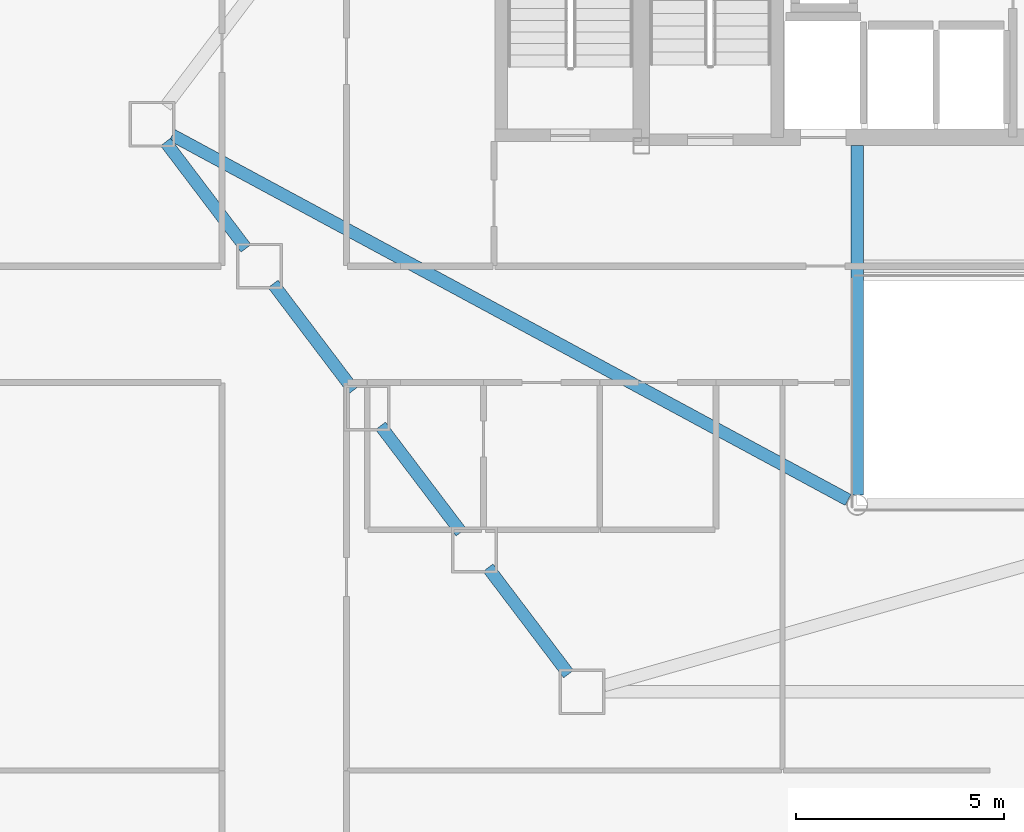
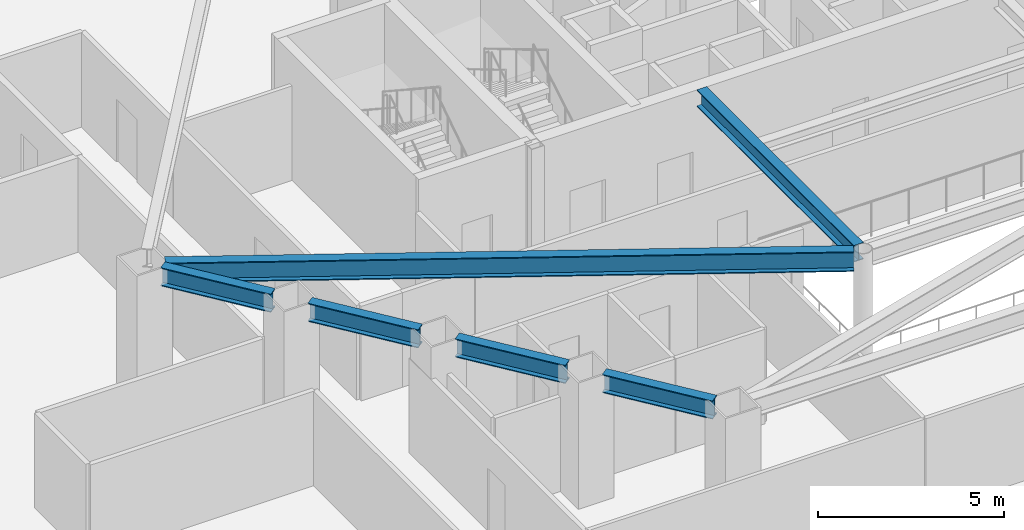
# One storey, part 10 of 37: 6 beams.
"""IFC4 building model written with IfcOpenShell, lengths in metres."""

import ifcopenshell
import ifcopenshell.guid

model = None  # the IFC model being written
_history = None  # IfcOwnerHistory: only IFC2X3 demands one
_inside = {}  # id of a spatial element -> (the spatial element, [elements in it])
_under = {}  # id of a project, library or spatial element -> (it, [spatial elements below it])
_declared = {}  # id of a project -> (the project, [libraries it declares])
_typed = {}  # id of a type object -> (the type object, [elements of that type])
_made_of = {}  # id of a material, layer set ... -> (it, [elements and type objects made of it])


def new_model(schema):
    """Start an empty IFC model of exactly this schema.

    Asked for "IFC4X3", IfcOpenShell would pick the latest addendum, in which some entities
    have other attributes; the version numbers below select the first issue.
    IFC2X3 requires an IfcOwnerHistory on every rooted entity: one is made here for all.
    """
    global model, _history
    if schema == "IFC4X3":
        model = ifcopenshell.file(schema_version=(4, 3, 0, 0))
    else:
        model = ifcopenshell.file(schema=schema)
    _inside.clear()
    _under.clear()
    _declared.clear()
    _typed.clear()
    _made_of.clear()
    _history = None
    if model.schema == "IFC2X3":
        org = make("IfcOrganization", Name="unknown")
        user = make(
            "IfcPersonAndOrganization",
            ThePerson=make("IfcPerson", FamilyName="unknown"),
            TheOrganization=org,
        )
        app = make(
            "IfcApplication",
            ApplicationDeveloper=org,
            Version="unknown",
            ApplicationFullName="unknown",
            ApplicationIdentifier="unknown",
        )
        _history = make(
            "IfcOwnerHistory",
            OwningUser=user,
            OwningApplication=app,
            ChangeAction="ADDED",
            CreationDate=0,
        )
    return model


def make(cls, **values):
    """One entity of the class cls with the attributes given. An attribute that is None is left unset."""
    return model.create_entity(
        cls, **{name: value for name, value in values.items() if value is not None}
    )


def rooted(cls, **values):
    """An entity with a GlobalId (a new one), such as an element, a storey or a relation."""
    return make(cls, GlobalId=ifcopenshell.guid.new(), OwnerHistory=_history, **values)


def si_unit(unit_type, name, prefix=None):
    """IfcSIUnit, for example si_unit("LENGTHUNIT", "METRE", prefix="MILLI")."""
    return make("IfcSIUnit", UnitType=unit_type, Prefix=prefix, Name=name)


def assignment(units):
    """IfcUnitAssignment: the units of a project."""
    return None if units is None else make("IfcUnitAssignment", Units=units)


def point(xyz):
    """IfcCartesianPoint."""
    return None if xyz is None else make("IfcCartesianPoint", Coordinates=xyz)


def direction(xyz):
    """IfcDirection."""
    return None if xyz is None else make("IfcDirection", DirectionRatios=xyz)


def frame(location, z_axis=None, x_axis=None):
    """IfcAxis2Placement3D, a coordinate frame: its origin and axes. An axis left out is left unset."""
    return make(
        "IfcAxis2Placement3D",
        Location=point(location),
        Axis=direction(z_axis),
        RefDirection=direction(x_axis),
    )


def frame_2d(location, x_axis=None):
    """IfcAxis2Placement2D, a coordinate frame in the plane: its origin and x axis."""
    return make(
        "IfcAxis2Placement2D", Location=point(location), RefDirection=direction(x_axis)
    )


def origin():
    """The frame at (0, 0, 0) with its axes left unset."""
    return frame((0.0, 0.0, 0.0))


def origin_2d():
    """The frame at (0, 0) in the plane with its x axis left unset."""
    return frame_2d((0.0, 0.0))


def place(relative_to, where):
    """IfcLocalPlacement: puts the frame where relative to a parent placement (None: the world)."""
    return make(
        "IfcLocalPlacement", PlacementRelTo=relative_to, RelativePlacement=where
    )


def context(
    kind, dimensions, precision=None, world=None, true_north=None, identifier=None
):
    """IfcGeometricRepresentationContext, for example the 3D "Model" context."""
    return make(
        "IfcGeometricRepresentationContext",
        ContextIdentifier=identifier,
        ContextType=kind,
        CoordinateSpaceDimension=dimensions,
        Precision=precision,
        WorldCoordinateSystem=world,
        TrueNorth=true_north,
    )


def subcontext(parent, identifier, kind, view, scale=None):
    """IfcGeometricRepresentationSubContext, for example "Body" below "Model"."""
    return make(
        "IfcGeometricRepresentationSubContext",
        ContextIdentifier=identifier,
        ContextType=kind,
        ParentContext=parent,
        TargetScale=scale,
        TargetView=view,
    )


def project(units=None, contexts=None):
    """IfcProject with its units and contexts."""
    return rooted(
        "IfcProject",
        Name="project",
        RepresentationContexts=contexts,
        UnitsInContext=assignment(units),
    )


def spatial(cls, under=None, at=None, **own):
    """A site, building, storey or space (cls), placed at a placement, below another one or the project."""
    s = rooted(cls, ObjectPlacement=at, **own)
    if under is not None:
        _under.setdefault(under.id(), (under, []))[1].append(s)
    return s


def profile(cls, at=None, kind="AREA", **sizes):
    """A parametric profile (cls). Its sizes go by their IFC names, for example OverallWidth=200.0."""
    return make(cls, ProfileType=kind, Position=at, **sizes)


def i_section(**sizes):
    """IfcIShapeProfileDef."""
    return profile("IfcIShapeProfileDef", **sizes)


def extrude(swept, where, along, depth):
    """IfcExtrudedAreaSolid: the profile swept, set in the frame where, extruded along a direction by depth."""
    return make(
        "IfcExtrudedAreaSolid",
        SweptArea=swept,
        Position=where,
        ExtrudedDirection=direction(along),
        Depth=depth,
    )


def shape(context_of_items, identifier, shape_type, items):
    """IfcShapeRepresentation: the items that make up one representation, for example the "Body"."""
    return make(
        "IfcShapeRepresentation",
        ContextOfItems=context_of_items,
        RepresentationIdentifier=identifier,
        RepresentationType=shape_type,
        Items=items,
    )


def material(Name=None, Category=None):
    """IfcMaterial."""
    return make("IfcMaterial", Name=Name, Category=Category)


def material_profile(
    of_material, cross_section, Name=None, Category=None, Priority=None
):
    """IfcMaterialProfile: a cross section and its material."""
    return make(
        "IfcMaterialProfile",
        Name=Name,
        Material=of_material,
        Profile=cross_section,
        Priority=Priority,
        Category=Category,
    )


def profile_set(profiles, Name=None, composite=None):
    """IfcMaterialProfileSet."""
    return make(
        "IfcMaterialProfileSet",
        Name=Name,
        MaterialProfiles=profiles,
        CompositeProfile=composite,
    )


def made_of(thing, what):
    """Note that an element or type object is made of a material, layer set ...; save() writes the relation."""
    if what is not None:
        _made_of.setdefault(what.id(), (what, []))[1].append(thing)
    return thing


def type_object(cls, material=None, **own):
    """A type object (cls), such as IfcWallType, which elements share."""
    return made_of(rooted(cls, **own), material)


def element(
    cls,
    number,
    at=None,
    inside=None,
    cuts=None,
    type_object=None,
    material=None,
    context=None,
    identifier="Body",
    shape_type=None,
    held_by="IfcProductDefinitionShape",
    body=None,
    shapes=None,
    **own,
):
    """One element of the class cls, such as IfcWall. Its Tag is "e" and its number.

    at: its placement. inside: the storey or other place that contains it. cuts: it is an
    opening in that element (IfcRelVoidsElement). A single representation is given by context,
    identifier, shape_type and body (its items); several are given by shapes. held_by: the class
    of the entity that holds the representations. save() writes the other relations.
    """
    e = rooted(cls, Tag="e%d" % number, ObjectPlacement=at, **own)
    if body is not None:
        shapes = [shape(context, identifier, shape_type, body)]
    if shapes is not None:
        e.Representation = make(held_by, Representations=shapes)
    if inside is not None:
        _inside.setdefault(inside.id(), (inside, []))[1].append(e)
    if cuts is not None:
        rooted(
            "IfcRelVoidsElement", RelatingBuildingElement=cuts, RelatedOpeningElement=e
        )
    if type_object is not None:
        _typed.setdefault(type_object.id(), (type_object, []))[1].append(e)
    return made_of(e, material)


def aggregate(whole, parts):
    """IfcRelAggregates: a whole, such as a stair, and the parts it consists of."""
    return rooted("IfcRelAggregates", RelatingObject=whole, RelatedObjects=parts)


def save(model, path):
    """Write the relations noted so far, then the file.

    IfcRelAggregates (storeys below a building ...), IfcRelContainedInSpatialStructure (elements
    in a storey), IfcRelDefinesByType, IfcRelAssociatesMaterial and IfcRelDeclares: one each for
    every whole, place, type object, material and project.
    """
    for whole, parts in _under.values():
        aggregate(whole, parts)
    for where, things in _inside.values():
        rooted(
            "IfcRelContainedInSpatialStructure",
            RelatedElements=things,
            RelatingStructure=where,
        )
    for kind, things in _typed.values():
        rooted("IfcRelDefinesByType", RelatedObjects=things, RelatingType=kind)
    for what, things in _made_of.values():
        rooted("IfcRelAssociatesMaterial", RelatedObjects=things, RelatingMaterial=what)
    for by, libraries in _declared.values():
        rooted("IfcRelDeclares", RelatingContext=by, RelatedDefinitions=libraries)
    model.write(path)


model = new_model("IFC4")

# Units and contexts
model_context = context("Model", 3, precision=1e-05, world=origin(), true_north=direction((0.0, 1.0)))
body_context = subcontext(model_context, "Body", "Model", "MODEL_VIEW")
ifc_project = project(units=[si_unit("LENGTHUNIT", "METRE"), si_unit("AREAUNIT", "SQUARE_METRE"), si_unit("VOLUMEUNIT", "CUBIC_METRE"), si_unit("PLANEANGLEUNIT", "RADIAN"), si_unit("MASSUNIT", "GRAM", prefix="KILO")], contexts=[model_context])

# Site, building, storey
site_placement = place(None, origin())
site = spatial("IfcSite", under=ifc_project, at=site_placement, CompositionType="ELEMENT")
building_placement = place(site_placement, origin())
building = spatial("IfcBuilding", under=site, at=building_placement, Name="Zarrinselat Tower", CompositionType="ELEMENT")
storey_placement = place(building_placement, frame((0.0, 0.0, 9.52001953125)))
storey = spatial("IfcBuildingStorey", under=building, at=storey_placement, Name="L02", CompositionType="ELEMENT", Elevation=9.52001953125)

# Beams
ifc_material_1 = material(Name="Steel S355J2", Category="steel")
ifc_material_profile_1 = material_profile(ifc_material_1, i_section(OverallWidth=0.300048828125, OverallDepth=0.550048828125, WebThickness=0.014892578125, FlangeThickness=0.029052734375, at=origin_2d()), Name="HEB 550")
ifc_profile_set_1 = profile_set([ifc_material_profile_1], Name="Steel S355J2")
beam_type_1 = type_object("IfcBeamType", Name="BM-HEB550", PredefinedType="BEAM", material=ifc_profile_set_1)
beam_1_placement = place(storey_placement, frame((33.800048828125, 24.639892578125, 3.864990234375), z_axis=(0.0, 1.0, 0.0), x_axis=(-1.0, 0.0, 0.0)))
element("IfcBeam", 1, at=beam_1_placement, inside=storey, type_object=beam_type_1, Name="L02 Atrium Edge Beam W", PredefinedType="BEAM", context=body_context, shape_type="SweptSolid", body=[
    extrude(i_section(OverallWidth=0.300048828125, OverallDepth=0.550048828125, WebThickness=0.014892578125, FlangeThickness=0.029052734375, at=origin_2d()), origin(), (0.0, 0.0, 1.0), 8.420166015625),
])
ifc_material_2 = material(Name="Steel S355J2", Category="steel")
ifc_material_profile_2 = material_profile(ifc_material_2, i_section(OverallWidth=0.300048828125, OverallDepth=0.60009765625, WebThickness=0.015380859375, FlangeThickness=0.030029296875, at=origin_2d()), Name="HEB 600")
ifc_profile_set_2 = profile_set([ifc_material_profile_2], Name="Steel S355J2")
beam_type_2 = type_object("IfcBeamType", Name="BM-HEB600", PredefinedType="BEAM", material=ifc_profile_set_2)
for number, where, z_axis, x_axis, name in (
    (2, (17.140380859375, 33.13916015625, 3.840087890625), (0.6038723216, -0.797081061878, 0.0), (0.797081061878, 0.6038723216, 0.0), "L02 Perimeter Spandrel Girder SP06"),
    (3, (19.729736328125, 29.72119140625, 3.840087890625), (0.6038723216, -0.797081061878, 0.0), (0.797081061878, 0.6038723216, 0.0), "L02 Perimeter Spandrel Girder SP07"),
    (4, (22.319091796875, 26.30322265625, 3.840087890625), (0.6038723216, -0.797081061878, 0.0), (0.797081061878, 0.6038723216, 0.0), "L02 Perimeter Spandrel Girder SP08"),
):
    element("IfcBeam", number, at=place(storey_placement, frame(where, z_axis=z_axis, x_axis=x_axis)), inside=storey, type_object=beam_type_2, Name=name, PredefinedType="BEAM", context=body_context, shape_type="SweptSolid", body=[
        extrude(i_section(OverallWidth=0.300048828125, OverallDepth=0.60009765625, WebThickness=0.015380859375, FlangeThickness=0.030029296875, at=origin_2d()), origin(), (0.0, 0.0, 1.0), 3.212158203125),
    ])
beam_2_placement = place(storey_placement, frame((24.908447265625, 22.88525390625, 3.840087890625), z_axis=(0.603835738536, -0.797108776057, 0.0), x_axis=(0.797108776057, 0.603835738536, 0.0)))
element("IfcBeam", 5, at=beam_2_placement, inside=storey, type_object=beam_type_2, Name="L02 Perimeter Spandrel Girder SP09", PredefinedType="BEAM", context=body_context, shape_type="SweptSolid", body=[
    extrude(i_section(OverallWidth=0.300048828125, OverallDepth=0.60009765625, WebThickness=0.015380859375, FlangeThickness=0.030029296875, at=origin_2d()), origin(), (0.0, 0.0, 1.0), 3.21240234375),
])
ifc_material_3 = material(Name="Steel S355J2", Category="steel")
ifc_material_profile_3 = material_profile(ifc_material_3, i_section(OverallWidth=0.300048828125, OverallDepth=0.64990234375, WebThickness=0.01611328125, FlangeThickness=0.031005859375, at=origin_2d()), Name="HEB 650")
ifc_profile_set_3 = profile_set([ifc_material_profile_3], Name="Steel S355J2")
beam_type_3 = type_object("IfcBeamType", Name="BM-HEB650", PredefinedType="BEAM", material=ifc_profile_set_3)
beam_3_placement = place(storey_placement, frame((17.30126953125, 33.305908203125, 3.81494140625), z_axis=(0.879983295663, -0.475004630876, 0.0), x_axis=(0.475004630876, 0.879983295663, 0.0)))
element("IfcBeam", 6, at=beam_3_placement, inside=storey, type_object=beam_type_3, Name="L02 Radial Primary Girder RG06", PredefinedType="BEAM", context=body_context, shape_type="SweptSolid", body=[
    extrude(i_section(OverallWidth=0.300048828125, OverallDepth=0.64990234375, WebThickness=0.01611328125, FlangeThickness=0.031005859375, at=origin_2d()), origin(), (0.0, 0.0, 1.0), 18.4990234375),
])

save(model, "model.ifc")
